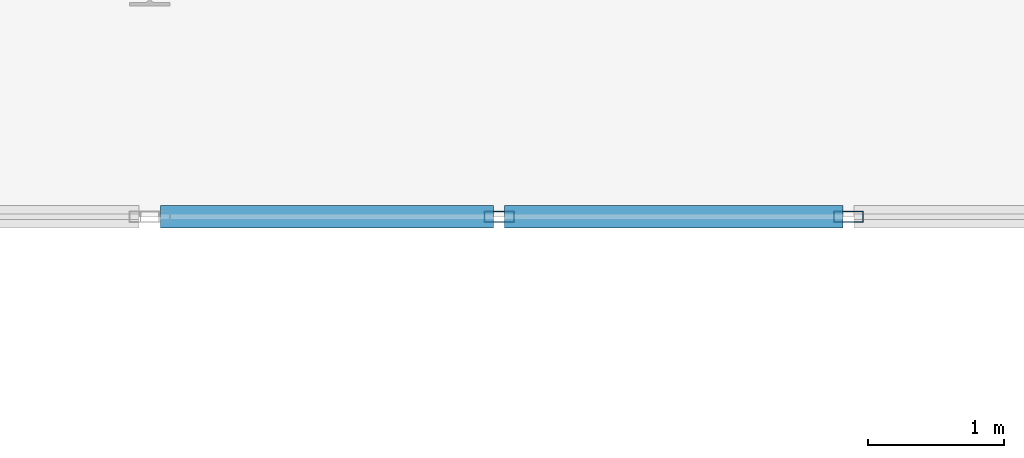
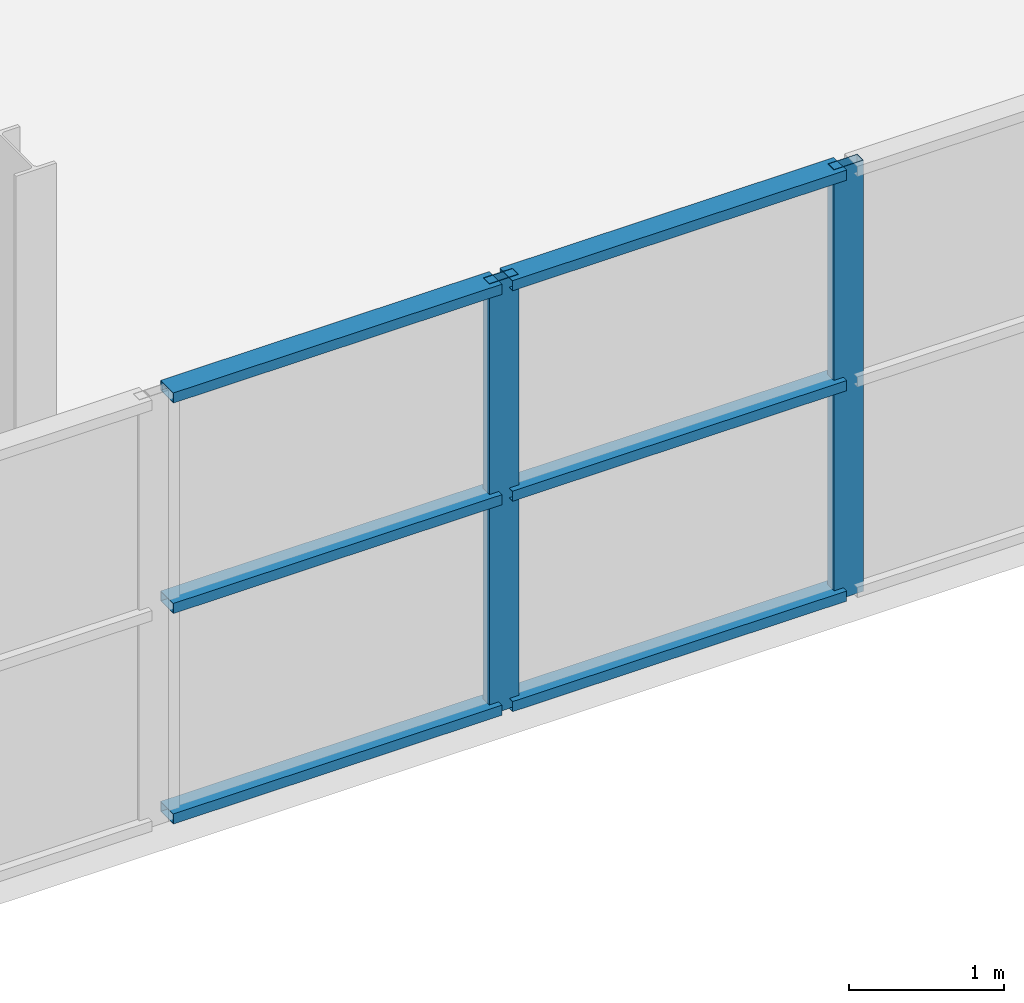
# One storey, part 7 of 59: 8 members, 1 element without a shape of its own.
"""IFC4 building model written with IfcOpenShell, lengths in metres."""

from ifc_helpers import new_model, si_unit, direction, frame, origin, origin_2d, place, context, subcontext, project, spatial, hollow_rectangle, extrude, material, layer, layer_set, material_profile, profile_set, type_object, element, aggregate, save


model = new_model("IFC4")

# Units and contexts
model_context = context("Model", 3, precision=1e-05, world=origin(), true_north=direction((0.0, 1.0)))
body_context = subcontext(model_context, "Body", "Model", "MODEL_VIEW")
ifc_project = project(units=[si_unit("LENGTHUNIT", "METRE"), si_unit("AREAUNIT", "SQUARE_METRE"), si_unit("VOLUMEUNIT", "CUBIC_METRE"), si_unit("PLANEANGLEUNIT", "RADIAN"), si_unit("MASSUNIT", "GRAM", prefix="KILO")], contexts=[model_context])

# Site, building, storey
site_placement = place(None, origin())
site = spatial("IfcSite", under=ifc_project, at=site_placement, CompositionType="ELEMENT")
building_placement = place(site_placement, origin())
building = spatial("IfcBuilding", under=site, at=building_placement, Name="Deido Ridge Mobility Hub", CompositionType="ELEMENT")
storey_placement = place(building_placement, frame((0.0, 0.0, 21.0)))
storey = spatial("IfcBuildingStorey", under=building, at=storey_placement, Name="L05", CompositionType="ELEMENT", Elevation=21.0)

# Curtain wall, members
ifc_material = material(Name="Anodised aluminium EN AW-6063 T6", Category="aluminium")
ifc_layer = layer(ifc_material, 0.2548828125, Name="Anodised aluminium EN AW-6063 T6")
ifc_layer_set = layer_set([ifc_layer], Name="Anodised aluminium EN AW-6063 T6")
curtain_wall_type = type_object("IfcCurtainWallType", Name="CW-UF-7", PredefinedType="USERDEFINED", material=ifc_layer_set)
curtain_wall_placement = place(storey_placement, origin())
curtain_wall = element("IfcCurtainWall", 1, at=curtain_wall_placement, inside=storey, type_object=curtain_wall_type, Name="Unitised curtain wall CW7", ObjectType="UNITISED FACADE", PredefinedType="USERDEFINED")
ifc_material_profile_1 = material_profile(ifc_material, hollow_rectangle(XDim=0.080078125, YDim=0.219970703125, WallThickness=0.00390625, at=origin_2d()), Name="RHS 80x220x4")
ifc_profile_set_1 = profile_set([ifc_material_profile_1], Name="Anodised aluminium EN AW-6063 T6")
member_type_1 = type_object("IfcMemberType", Name="MEM-MUL-80X220", PredefinedType="MULLION", material=ifc_profile_set_1)
member_1_placement = place(storey_placement, frame((83.571533203125, 43.199951171875, 0.0), z_axis=(0.0, 0.0, 1.0), x_axis=(0.0, 1.0, 0.0)))
member_1 = element("IfcMember", 2, at=member_1_placement, type_object=member_type_1, Name="CW7 mullion 2", PredefinedType="MULLION", context=body_context, shape_type="SweptSolid", body=[
    extrude(hollow_rectangle(XDim=0.080078125, YDim=0.219970703125, WallThickness=0.00390625, at=origin_2d()), origin(), (0.0, 0.0, 1.0), 3.39990234375),
])
member_2_placement = place(storey_placement, frame((86.142822265625, 43.199951171875, 0.0), z_axis=(0.0, 0.0, 1.0), x_axis=(0.0, 1.0, 0.0)))
member_2 = element("IfcMember", 3, at=member_2_placement, type_object=member_type_1, Name="CW7 mullion 3", PredefinedType="MULLION", context=body_context, shape_type="SweptSolid", body=[
    extrude(hollow_rectangle(XDim=0.080078125, YDim=0.219970703125, WallThickness=0.00390625, at=origin_2d()), origin(), (0.0, 0.0, 1.0), 3.39990234375),
])
ifc_material_profile_2 = material_profile(ifc_material, hollow_rectangle(XDim=0.1650390625, YDim=0.080078125, WallThickness=0.00390625, at=origin_2d()), Name="RHS 165x80x4")
ifc_profile_set_2 = profile_set([ifc_material_profile_2], Name="Anodised aluminium EN AW-6063 T6")
member_type_2 = type_object("IfcMemberType", Name="MEM-TRN-165X80", PredefinedType="USERDEFINED", material=ifc_profile_set_2)
member_3_placement = place(storey_placement, frame((81.080078125, 43.199951171875, 0.0400390625), z_axis=(1.0, 0.0, 0.0), x_axis=(0.0, 1.0, 0.0)))
member_3 = element("IfcMember", 4, at=member_3_placement, type_object=member_type_2, Name="CW7 transom 1.1", ObjectType="TRANSOM", PredefinedType="USERDEFINED", context=body_context, shape_type="SweptSolid", body=[
    extrude(hollow_rectangle(XDim=0.1650390625, YDim=0.080078125, WallThickness=0.00390625, at=origin_2d()), origin(), (0.0, 0.0, 1.0), 2.451416015625),
])
member_4_placement = place(storey_placement, frame((81.080078125, 43.199951171875, 1.699951171875), z_axis=(1.0, 0.0, 0.0), x_axis=(0.0, 1.0, 0.0)))
member_4 = element("IfcMember", 5, at=member_4_placement, type_object=member_type_2, Name="CW7 transom 1.2", ObjectType="TRANSOM", PredefinedType="USERDEFINED", context=body_context, shape_type="SweptSolid", body=[
    extrude(hollow_rectangle(XDim=0.1650390625, YDim=0.080078125, WallThickness=0.00390625, at=origin_2d()), origin(), (0.0, 0.0, 1.0), 2.451416015625),
])
member_5_placement = place(storey_placement, frame((81.080078125, 43.199951171875, 3.360107421875), z_axis=(1.0, 0.0, 0.0), x_axis=(0.0, 1.0, 0.0)))
member_5 = element("IfcMember", 6, at=member_5_placement, type_object=member_type_2, Name="CW7 transom 1.3", ObjectType="TRANSOM", PredefinedType="USERDEFINED", context=body_context, shape_type="SweptSolid", body=[
    extrude(hollow_rectangle(XDim=0.1650390625, YDim=0.080078125, WallThickness=0.00390625, at=origin_2d()), origin(), (0.0, 0.0, 1.0), 2.451416015625),
])
member_6_placement = place(storey_placement, frame((83.611328125, 43.199951171875, 0.0400390625), z_axis=(1.0, 0.0, 0.0), x_axis=(0.0, 1.0, 0.0)))
member_6 = element("IfcMember", 7, at=member_6_placement, type_object=member_type_2, Name="CW7 transom 2.1", ObjectType="TRANSOM", PredefinedType="USERDEFINED", context=body_context, shape_type="SweptSolid", body=[
    extrude(hollow_rectangle(XDim=0.1650390625, YDim=0.080078125, WallThickness=0.00390625, at=origin_2d()), origin(), (0.0, 0.0, 1.0), 2.491455078125),
])
member_7_placement = place(storey_placement, frame((83.611328125, 43.199951171875, 1.699951171875), z_axis=(1.0, 0.0, 0.0), x_axis=(0.0, 1.0, 0.0)))
member_7 = element("IfcMember", 8, at=member_7_placement, type_object=member_type_2, Name="CW7 transom 2.2", ObjectType="TRANSOM", PredefinedType="USERDEFINED", context=body_context, shape_type="SweptSolid", body=[
    extrude(hollow_rectangle(XDim=0.1650390625, YDim=0.080078125, WallThickness=0.00390625, at=origin_2d()), origin(), (0.0, 0.0, 1.0), 2.491455078125),
])
member_8_placement = place(storey_placement, frame((83.611328125, 43.199951171875, 3.360107421875), z_axis=(1.0, 0.0, 0.0), x_axis=(0.0, 1.0, 0.0)))
member_8 = element("IfcMember", 9, at=member_8_placement, type_object=member_type_2, Name="CW7 transom 2.3", ObjectType="TRANSOM", PredefinedType="USERDEFINED", context=body_context, shape_type="SweptSolid", body=[
    extrude(hollow_rectangle(XDim=0.1650390625, YDim=0.080078125, WallThickness=0.00390625, at=origin_2d()), origin(), (0.0, 0.0, 1.0), 2.491455078125),
])
aggregate(curtain_wall, [member_1, member_2, member_3, member_4, member_5, member_6, member_7, member_8])

save(model, "model.ifc")
